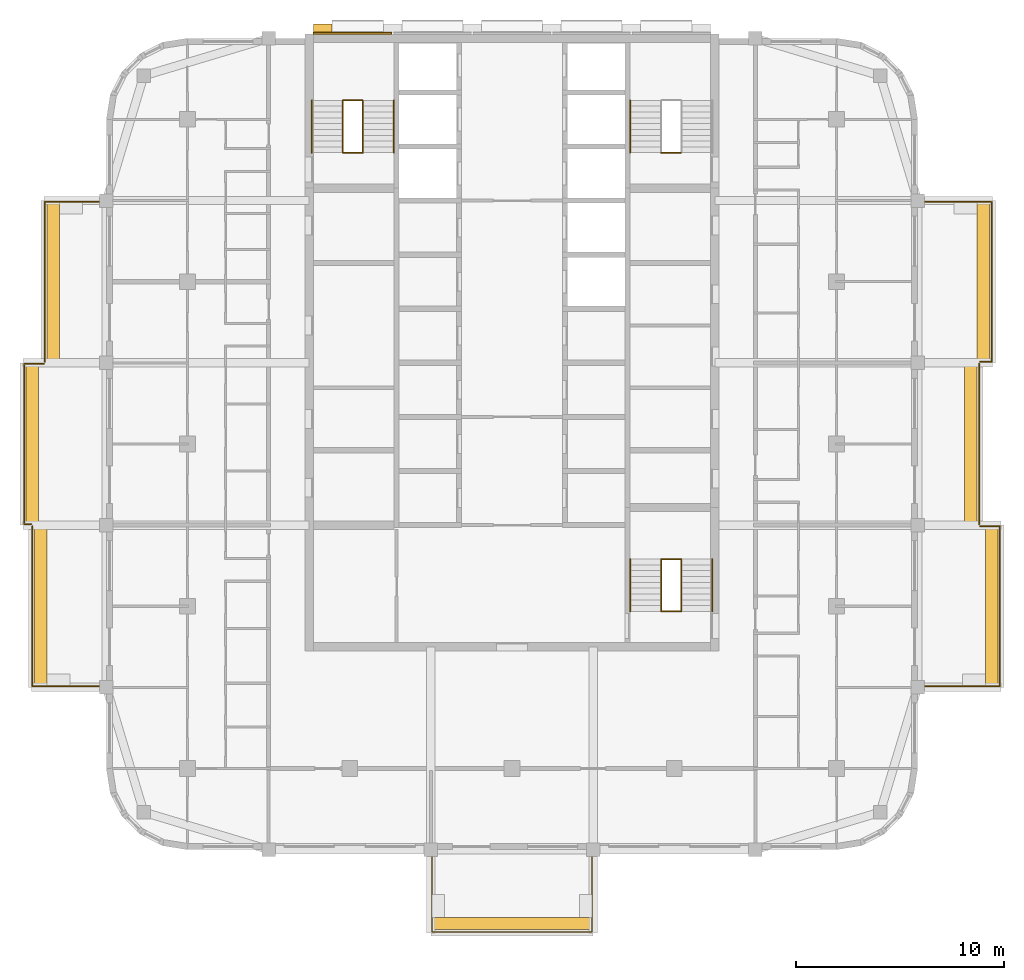
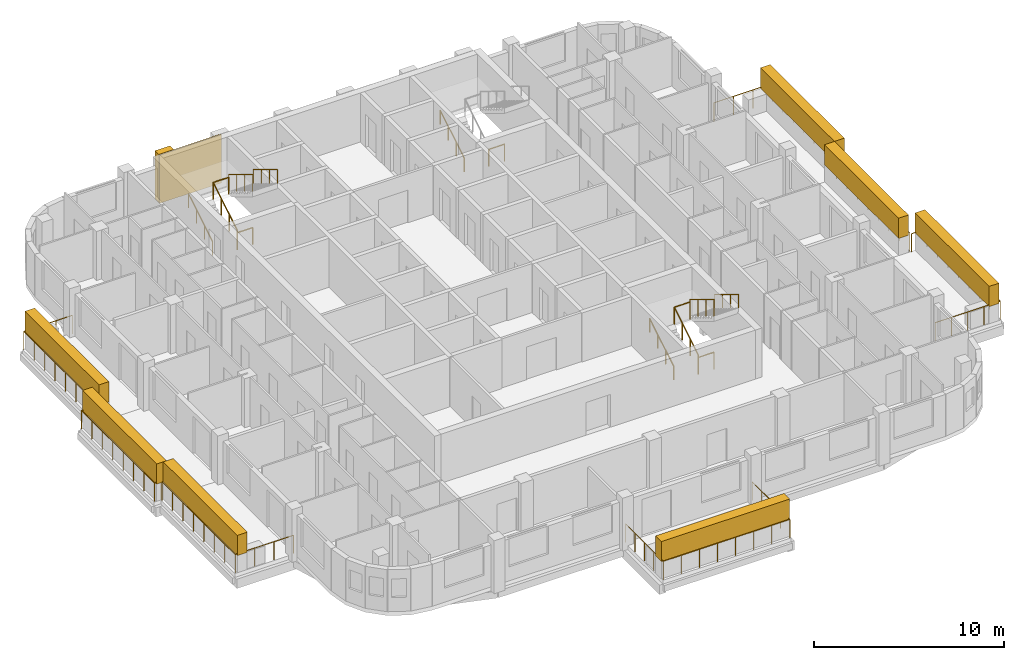
# One storey, part 12 of 13: 21 railings, 9 coverings, 3 elements without a shape of their own.
"""IFC4 building model written with IfcOpenShell, lengths in metres."""

from ifc_helpers import new_model, si_unit, direction, frame, origin, origin_2d, place, context, subcontext, project, spatial, rectangle, circle, extrude, material, layer, layer_set, type_object, element, aggregate, save


model = new_model("IFC4")

# Units and contexts
model_context = context("Model", 3, precision=1e-05, world=origin(), true_north=direction((0.0, 1.0)))
body_context = subcontext(model_context, "Body", "Model", "MODEL_VIEW")
ifc_project = project(units=[si_unit("LENGTHUNIT", "METRE"), si_unit("AREAUNIT", "SQUARE_METRE"), si_unit("VOLUMEUNIT", "CUBIC_METRE"), si_unit("PLANEANGLEUNIT", "RADIAN"), si_unit("MASSUNIT", "GRAM", prefix="KILO")], contexts=[model_context])

# Site, building, storey
site_placement = place(None, origin())
site = spatial("IfcSite", under=ifc_project, at=site_placement, CompositionType="ELEMENT")
building_placement = place(site_placement, origin())
building = spatial("IfcBuilding", under=site, at=building_placement, Name="Ludao Terraces", CompositionType="ELEMENT")
storey_placement = place(building_placement, frame((0.0, 0.0, 252.800048828125)))
storey = spatial("IfcBuildingStorey", under=building, at=storey_placement, Name="L69", CompositionType="ELEMENT", Elevation=252.800048828125)

# Railings
ifc_material_1 = material(Name="Stainless steel 304", Category="steel")
railing_type_1 = type_object("IfcRailingType", Name="ENV Balcony glass guard 1200", PredefinedType="GUARDRAIL", material=ifc_material_1)
railing_1_placement = place(storey_placement, frame((81.14990234375, 45.5, 0.0)))
element("IfcRailing", 1, at=railing_1_placement, inside=storey, type_object=railing_type_1, Name="Balcony guard L69 S1", PredefinedType="GUARDRAIL", context=body_context, shape_type="SweptSolid", body=[
    extrude(circle(Radius=0.02392578125, at=origin_2d()), frame((0.0, 0.0, 1.17578125), z_axis=(0.0, -1.0, 0.0), x_axis=(1.0, 0.0, 0.0)), (0.0, 0.0, 1.0), 3.949951171875),
    extrude(circle(Radius=0.02392578125, at=origin_2d()), frame((0.0, -3.949951171875, 1.17578125), z_axis=(1.0, 0.0, 0.0), x_axis=(0.0, 1.0, 0.0)), (0.0, 0.0, 1.0), 7.7001953125),
    extrude(circle(Radius=0.02392578125, at=origin_2d()), frame((7.7001953125, -3.949951171875, 1.17578125), z_axis=(0.0, 1.0, 0.0), x_axis=(-1.0, 0.0, 0.0)), (0.0, 0.0, 1.0), 3.949951171875),
    extrude(circle(Radius=0.02099609375, at=origin_2d()), origin(), (0.0, 0.0, 1.0), 1.15185546875),
    extrude(circle(Radius=0.02099609375, at=origin_2d()), frame((0.0, -0.987548828125, 0.0)), (0.0, 0.0, 1.0), 1.15185546875),
    extrude(circle(Radius=0.02099609375, at=origin_2d()), frame((0.0, -1.97509765625, 0.0)), (0.0, 0.0, 1.0), 1.15185546875),
    extrude(circle(Radius=0.02099609375, at=origin_2d()), frame((0.0, -2.96240234375, 0.0)), (0.0, 0.0, 1.0), 1.15185546875),
    extrude(circle(Radius=0.02099609375, at=origin_2d()), frame((0.0, -3.949951171875, 0.0)), (0.0, 0.0, 1.0), 1.15185546875),
    extrude(circle(Radius=0.02099609375, at=origin_2d()), frame((1.10009765625, -3.949951171875, 0.0)), (0.0, 0.0, 1.0), 1.15185546875),
    extrude(circle(Radius=0.02099609375, at=origin_2d()), frame((2.199951171875, -3.949951171875, 0.0)), (0.0, 0.0, 1.0), 1.15185546875),
    extrude(circle(Radius=0.02099609375, at=origin_2d()), frame((3.300048828125, -3.949951171875, 0.0)), (0.0, 0.0, 1.0), 1.15185546875),
    extrude(circle(Radius=0.02099609375, at=origin_2d()), frame((4.400146484375, -3.949951171875, 0.0)), (0.0, 0.0, 1.0), 1.15185546875),
    extrude(circle(Radius=0.02099609375, at=origin_2d()), frame((5.500244140625, -3.949951171875, 0.0)), (0.0, 0.0, 1.0), 1.15185546875),
    extrude(circle(Radius=0.02099609375, at=origin_2d()), frame((6.60009765625, -3.949951171875, 0.0)), (0.0, 0.0, 1.0), 1.15185546875),
    extrude(circle(Radius=0.02099609375, at=origin_2d()), frame((7.7001953125, -3.949951171875, 0.0)), (0.0, 0.0, 1.0), 1.15185546875),
    extrude(circle(Radius=0.02099609375, at=origin_2d()), frame((7.7001953125, -2.96240234375, 0.0)), (0.0, 0.0, 1.0), 1.15185546875),
    extrude(circle(Radius=0.02099609375, at=origin_2d()), frame((7.7001953125, -1.97509765625, 0.0)), (0.0, 0.0, 1.0), 1.15185546875),
    extrude(circle(Radius=0.02099609375, at=origin_2d()), frame((7.7001953125, -0.987548828125, 0.0)), (0.0, 0.0, 1.0), 1.15185546875),
    extrude(circle(Radius=0.02099609375, at=origin_2d()), frame((7.7001953125, 0.0, 0.0)), (0.0, 0.0, 1.0), 1.15185546875),
])
railing_2_placement = place(storey_placement, frame((104.5, 53.35009765625, 0.0)))
element("IfcRailing", 2, at=railing_2_placement, inside=storey, type_object=railing_type_1, Name="Balcony guard L69 E1", PredefinedType="GUARDRAIL", context=body_context, shape_type="SweptSolid", body=[
    extrude(circle(Radius=0.02392578125, at=origin_2d()), frame((0.0, 0.0, 1.17578125), z_axis=(1.0, 0.0, 0.0), x_axis=(0.0, 1.0, 0.0)), (0.0, 0.0, 1.0), 3.949951171875),
    extrude(circle(Radius=0.02392578125, at=origin_2d()), frame((3.949951171875, 0.0, 1.17578125), z_axis=(0.0, 1.0, 0.0), x_axis=(-1.0, 0.0, 0.0)), (0.0, 0.0, 1.0), 7.699951171875),
    extrude(circle(Radius=0.02392578125, at=origin_2d()), frame((3.949951171875, 7.699951171875, 1.17578125), z_axis=(-1.0, 0.0, 0.0), x_axis=(0.0, -1.0, 0.0)), (0.0, 0.0, 1.0), 0.949951171875),
    extrude(circle(Radius=0.02099609375, at=origin_2d()), origin(), (0.0, 0.0, 1.0), 1.15185546875),
    extrude(circle(Radius=0.02099609375, at=origin_2d()), frame((0.987548828125, 0.0, 0.0)), (0.0, 0.0, 1.0), 1.15185546875),
    extrude(circle(Radius=0.02099609375, at=origin_2d()), frame((1.97509765625, 0.0, 0.0)), (0.0, 0.0, 1.0), 1.15185546875),
    extrude(circle(Radius=0.02099609375, at=origin_2d()), frame((2.96240234375, 0.0, 0.0)), (0.0, 0.0, 1.0), 1.15185546875),
    extrude(circle(Radius=0.02099609375, at=origin_2d()), frame((3.949951171875, 0.0, 0.0)), (0.0, 0.0, 1.0), 1.15185546875),
    extrude(circle(Radius=0.02099609375, at=origin_2d()), frame((3.949951171875, 1.10009765625, 0.0)), (0.0, 0.0, 1.0), 1.15185546875),
    extrude(circle(Radius=0.02099609375, at=origin_2d()), frame((3.949951171875, 2.199951171875, 0.0)), (0.0, 0.0, 1.0), 1.15185546875),
    extrude(circle(Radius=0.02099609375, at=origin_2d()), frame((3.949951171875, 3.300048828125, 0.0)), (0.0, 0.0, 1.0), 1.15185546875),
    extrude(circle(Radius=0.02099609375, at=origin_2d()), frame((3.949951171875, 4.39990234375, 0.0)), (0.0, 0.0, 1.0), 1.15185546875),
    extrude(circle(Radius=0.02099609375, at=origin_2d()), frame((3.949951171875, 5.5, 0.0)), (0.0, 0.0, 1.0), 1.15185546875),
    extrude(circle(Radius=0.02099609375, at=origin_2d()), frame((3.949951171875, 6.599853515625, 0.0)), (0.0, 0.0, 1.0), 1.15185546875),
    extrude(circle(Radius=0.02099609375, at=origin_2d()), frame((3.949951171875, 7.699951171875, 0.0)), (0.0, 0.0, 1.0), 1.15185546875),
    extrude(circle(Radius=0.02099609375, at=origin_2d()), frame((3.0, 7.699951171875, 0.0)), (0.0, 0.0, 1.0), 1.15185546875),
])
railing_3_placement = place(storey_placement, frame((107.449951171875, 61.14990234375, 0.0)))
element("IfcRailing", 3, at=railing_3_placement, inside=storey, type_object=railing_type_1, Name="Balcony guard L69 E2", PredefinedType="GUARDRAIL", context=body_context, shape_type="SweptSolid", body=[
    extrude(circle(Radius=0.02392578125, at=origin_2d()), frame((0.0, 0.0, 1.17578125), z_axis=(0.0, 1.0, 0.0), x_axis=(-1.0, 0.0, 0.0)), (0.0, 0.0, 1.0), 7.7001953125),
    extrude(circle(Radius=0.02099609375, at=origin_2d()), origin(), (0.0, 0.0, 1.0), 1.15185546875),
    extrude(circle(Radius=0.02099609375, at=origin_2d()), frame((0.0, 1.10009765625, 0.0)), (0.0, 0.0, 1.0), 1.15185546875),
    extrude(circle(Radius=0.02099609375, at=origin_2d()), frame((0.0, 2.199951171875, 0.0)), (0.0, 0.0, 1.0), 1.15185546875),
    extrude(circle(Radius=0.02099609375, at=origin_2d()), frame((0.0, 3.300048828125, 0.0)), (0.0, 0.0, 1.0), 1.15185546875),
    extrude(circle(Radius=0.02099609375, at=origin_2d()), frame((0.0, 4.400146484375, 0.0)), (0.0, 0.0, 1.0), 1.15185546875),
    extrude(circle(Radius=0.02099609375, at=origin_2d()), frame((0.0, 5.500244140625, 0.0)), (0.0, 0.0, 1.0), 1.15185546875),
    extrude(circle(Radius=0.02099609375, at=origin_2d()), frame((0.0, 6.60009765625, 0.0)), (0.0, 0.0, 1.0), 1.15185546875),
    extrude(circle(Radius=0.02099609375, at=origin_2d()), frame((0.0, 7.7001953125, 0.0)), (0.0, 0.0, 1.0), 1.15185546875),
])
railing_4_placement = place(storey_placement, frame((107.5, 68.949951171875, 0.0)))
element("IfcRailing", 4, at=railing_4_placement, inside=storey, type_object=railing_type_1, Name="Balcony guard L69 E3", PredefinedType="GUARDRAIL", context=body_context, shape_type="SweptSolid", body=[
    extrude(circle(Radius=0.02392578125, at=origin_2d()), frame((0.0, 0.0, 1.17578125), z_axis=(1.0, 0.0, 0.0), x_axis=(0.0, 1.0, 0.0)), (0.0, 0.0, 1.0), 0.550048828125),
    extrude(circle(Radius=0.02392578125, at=origin_2d()), frame((0.550048828125, 0.0, 1.17578125), z_axis=(0.0, 1.0, 0.0), x_axis=(-1.0, 0.0, 0.0)), (0.0, 0.0, 1.0), 7.699951171875),
    extrude(circle(Radius=0.02392578125, at=origin_2d()), frame((0.550048828125, 7.699951171875, 1.17578125), z_axis=(-1.0, 0.0, 0.0), x_axis=(0.0, -1.0, 0.0)), (0.0, 0.0, 1.0), 3.550048828125),
    extrude(circle(Radius=0.02099609375, at=origin_2d()), origin(), (0.0, 0.0, 1.0), 1.15185546875),
    extrude(circle(Radius=0.02099609375, at=origin_2d()), frame((0.550048828125, 0.0, 0.0)), (0.0, 0.0, 1.0), 1.15185546875),
    extrude(circle(Radius=0.02099609375, at=origin_2d()), frame((0.550048828125, 1.10009765625, 0.0)), (0.0, 0.0, 1.0), 1.15185546875),
    extrude(circle(Radius=0.02099609375, at=origin_2d()), frame((0.550048828125, 2.199951171875, 0.0)), (0.0, 0.0, 1.0), 1.15185546875),
    extrude(circle(Radius=0.02099609375, at=origin_2d()), frame((0.550048828125, 3.300048828125, 0.0)), (0.0, 0.0, 1.0), 1.15185546875),
    extrude(circle(Radius=0.02099609375, at=origin_2d()), frame((0.550048828125, 4.39990234375, 0.0)), (0.0, 0.0, 1.0), 1.15185546875),
    extrude(circle(Radius=0.02099609375, at=origin_2d()), frame((0.550048828125, 5.5, 0.0)), (0.0, 0.0, 1.0), 1.15185546875),
    extrude(circle(Radius=0.02099609375, at=origin_2d()), frame((0.550048828125, 6.599853515625, 0.0)), (0.0, 0.0, 1.0), 1.15185546875),
    extrude(circle(Radius=0.02099609375, at=origin_2d()), frame((0.550048828125, 7.699951171875, 0.0)), (0.0, 0.0, 1.0), 1.15185546875),
    extrude(circle(Radius=0.02099609375, at=origin_2d()), frame((-0.63330078125, 7.699951171875, 0.0)), (0.0, 0.0, 1.0), 1.15185546875),
    extrude(circle(Radius=0.02099609375, at=origin_2d()), frame((-1.816650390625, 7.699951171875, 0.0)), (0.0, 0.0, 1.0), 1.15185546875),
    extrude(circle(Radius=0.02099609375, at=origin_2d()), frame((-3.0, 7.699951171875, 0.0)), (0.0, 0.0, 1.0), 1.15185546875),
])
railing_5_placement = place(storey_placement, frame((65.5, 53.35009765625, 0.0)))
element("IfcRailing", 5, at=railing_5_placement, inside=storey, type_object=railing_type_1, Name="Balcony guard L69 W1", PredefinedType="GUARDRAIL", context=body_context, shape_type="SweptSolid", body=[
    extrude(circle(Radius=0.02392578125, at=origin_2d()), frame((0.0, 0.0, 1.17578125), z_axis=(-1.0, 0.0, 0.0), x_axis=(0.0, -1.0, 0.0)), (0.0, 0.0, 1.0), 3.550048828125),
    extrude(circle(Radius=0.02392578125, at=origin_2d()), frame((-3.550048828125, 0.0, 1.17578125), z_axis=(0.0, 1.0, 0.0), x_axis=(-1.0, 0.0, 0.0)), (0.0, 0.0, 1.0), 7.699951171875),
    extrude(circle(Radius=0.02099609375, at=origin_2d()), origin(), (0.0, 0.0, 1.0), 1.15185546875),
    extrude(circle(Radius=0.02099609375, at=origin_2d()), frame((-1.183349609375, 0.0, 0.0)), (0.0, 0.0, 1.0), 1.15185546875),
    extrude(circle(Radius=0.02099609375, at=origin_2d()), frame((-2.36669921875, 0.0, 0.0)), (0.0, 0.0, 1.0), 1.15185546875),
    extrude(circle(Radius=0.02099609375, at=origin_2d()), frame((-3.550048828125, 0.0, 0.0)), (0.0, 0.0, 1.0), 1.15185546875),
    extrude(circle(Radius=0.02099609375, at=origin_2d()), frame((-3.550048828125, 1.10009765625, 0.0)), (0.0, 0.0, 1.0), 1.15185546875),
    extrude(circle(Radius=0.02099609375, at=origin_2d()), frame((-3.550048828125, 2.199951171875, 0.0)), (0.0, 0.0, 1.0), 1.15185546875),
    extrude(circle(Radius=0.02099609375, at=origin_2d()), frame((-3.550048828125, 3.300048828125, 0.0)), (0.0, 0.0, 1.0), 1.15185546875),
    extrude(circle(Radius=0.02099609375, at=origin_2d()), frame((-3.550048828125, 4.39990234375, 0.0)), (0.0, 0.0, 1.0), 1.15185546875),
    extrude(circle(Radius=0.02099609375, at=origin_2d()), frame((-3.550048828125, 5.5, 0.0)), (0.0, 0.0, 1.0), 1.15185546875),
    extrude(circle(Radius=0.02099609375, at=origin_2d()), frame((-3.550048828125, 6.599853515625, 0.0)), (0.0, 0.0, 1.0), 1.15185546875),
    extrude(circle(Radius=0.02099609375, at=origin_2d()), frame((-3.550048828125, 7.699951171875, 0.0)), (0.0, 0.0, 1.0), 1.15185546875),
])
railing_6_placement = place(storey_placement, frame((61.89990234375, 61.14990234375, 0.0)))
element("IfcRailing", 6, at=railing_6_placement, inside=storey, type_object=railing_type_1, Name="Balcony guard L69 W2", PredefinedType="GUARDRAIL", context=body_context, shape_type="SweptSolid", body=[
    extrude(circle(Radius=0.02392578125, at=origin_2d()), frame((0.0, 0.0, 1.17578125), z_axis=(-1.0, 0.0, 0.0), x_axis=(0.0, -1.0, 0.0)), (0.0, 0.0, 1.0), 0.349853515625),
    extrude(circle(Radius=0.02392578125, at=origin_2d()), frame((-0.349853515625, 0.0, 1.17578125), z_axis=(0.0, 1.0, 0.0), x_axis=(-1.0, 0.0, 0.0)), (0.0, 0.0, 1.0), 7.7001953125),
    extrude(circle(Radius=0.02392578125, at=origin_2d()), frame((-0.349853515625, 7.7001953125, 1.17578125), z_axis=(1.0, 0.0, 0.0), x_axis=(0.0, 1.0, 0.0)), (0.0, 0.0, 1.0), 0.949951171875),
    extrude(circle(Radius=0.02099609375, at=origin_2d()), origin(), (0.0, 0.0, 1.0), 1.15185546875),
    extrude(circle(Radius=0.02099609375, at=origin_2d()), frame((-0.349853515625, 0.0, 0.0)), (0.0, 0.0, 1.0), 1.15185546875),
    extrude(circle(Radius=0.02099609375, at=origin_2d()), frame((-0.349853515625, 1.10009765625, 0.0)), (0.0, 0.0, 1.0), 1.15185546875),
    extrude(circle(Radius=0.02099609375, at=origin_2d()), frame((-0.349853515625, 2.199951171875, 0.0)), (0.0, 0.0, 1.0), 1.15185546875),
    extrude(circle(Radius=0.02099609375, at=origin_2d()), frame((-0.349853515625, 3.300048828125, 0.0)), (0.0, 0.0, 1.0), 1.15185546875),
    extrude(circle(Radius=0.02099609375, at=origin_2d()), frame((-0.349853515625, 4.400146484375, 0.0)), (0.0, 0.0, 1.0), 1.15185546875),
    extrude(circle(Radius=0.02099609375, at=origin_2d()), frame((-0.349853515625, 5.500244140625, 0.0)), (0.0, 0.0, 1.0), 1.15185546875),
    extrude(circle(Radius=0.02099609375, at=origin_2d()), frame((-0.349853515625, 6.60009765625, 0.0)), (0.0, 0.0, 1.0), 1.15185546875),
    extrude(circle(Radius=0.02099609375, at=origin_2d()), frame((-0.349853515625, 7.7001953125, 0.0)), (0.0, 0.0, 1.0), 1.15185546875),
    extrude(circle(Radius=0.02099609375, at=origin_2d()), frame((0.60009765625, 7.7001953125, 0.0)), (0.0, 0.0, 1.0), 1.15185546875),
])
railing_7_placement = place(storey_placement, frame((62.550048828125, 68.949951171875, 0.0)))
element("IfcRailing", 7, at=railing_7_placement, inside=storey, type_object=railing_type_1, Name="Balcony guard L69 W3", PredefinedType="GUARDRAIL", context=body_context, shape_type="SweptSolid", body=[
    extrude(circle(Radius=0.02392578125, at=origin_2d()), frame((0.0, 0.0, 1.17578125), z_axis=(0.0, 1.0, 0.0), x_axis=(-1.0, 0.0, 0.0)), (0.0, 0.0, 1.0), 7.699951171875),
    extrude(circle(Radius=0.02392578125, at=origin_2d()), frame((0.0, 7.699951171875, 1.17578125), z_axis=(1.0, 0.0, 0.0), x_axis=(0.0, 1.0, 0.0)), (0.0, 0.0, 1.0), 2.949951171875),
    extrude(circle(Radius=0.02099609375, at=origin_2d()), origin(), (0.0, 0.0, 1.0), 1.15185546875),
    extrude(circle(Radius=0.02099609375, at=origin_2d()), frame((0.0, 1.10009765625, 0.0)), (0.0, 0.0, 1.0), 1.15185546875),
    extrude(circle(Radius=0.02099609375, at=origin_2d()), frame((0.0, 2.199951171875, 0.0)), (0.0, 0.0, 1.0), 1.15185546875),
    extrude(circle(Radius=0.02099609375, at=origin_2d()), frame((0.0, 3.300048828125, 0.0)), (0.0, 0.0, 1.0), 1.15185546875),
    extrude(circle(Radius=0.02099609375, at=origin_2d()), frame((0.0, 4.39990234375, 0.0)), (0.0, 0.0, 1.0), 1.15185546875),
    extrude(circle(Radius=0.02099609375, at=origin_2d()), frame((0.0, 5.5, 0.0)), (0.0, 0.0, 1.0), 1.15185546875),
    extrude(circle(Radius=0.02099609375, at=origin_2d()), frame((0.0, 6.599853515625, 0.0)), (0.0, 0.0, 1.0), 1.15185546875),
    extrude(circle(Radius=0.02099609375, at=origin_2d()), frame((0.0, 7.699951171875, 0.0)), (0.0, 0.0, 1.0), 1.15185546875),
    extrude(circle(Radius=0.02099609375, at=origin_2d()), frame((0.9833984375, 7.699951171875, 0.0)), (0.0, 0.0, 1.0), 1.15185546875),
    extrude(circle(Radius=0.02099609375, at=origin_2d()), frame((1.966552734375, 7.699951171875, 0.0)), (0.0, 0.0, 1.0), 1.15185546875),
    extrude(circle(Radius=0.02099609375, at=origin_2d()), frame((2.949951171875, 7.699951171875, 0.0)), (0.0, 0.0, 1.0), 1.15185546875),
])

# Coverings
ifc_material_2 = material(Name="Granite cladding", Category="masonry")
ifc_layer_1 = layer(ifc_material_2, 0.39990234375)
ifc_layer_set_1 = layer_set([ifc_layer_1], Name="ENV Core pilaster stone 400")
covering_type_1 = type_object("IfcCoveringType", Name="ENV Core pilaster stone 400", PredefinedType="CLADDING", material=ifc_layer_set_1)
covering_1_placement = place(storey_placement, frame((75.89990234375, 84.97998046875, 0.0), z_axis=(0.0, 0.0, 1.0), x_axis=(1.0, 0.0, 0.0)))
element("IfcCovering", 8, at=covering_1_placement, inside=storey, type_object=covering_type_1, Name="CC-L69-PIL1", PredefinedType="CLADDING", context=body_context, shape_type="SweptSolid", body=[
    extrude(rectangle(XDim=0.89990234375, YDim=0.39990234375, at=origin_2d()), origin(), (0.0, 0.0, 1.0), 3.10009765625),
])
ifc_layer_2 = layer(ifc_material_2, 0.080078125)
ifc_layer_set_2 = layer_set([ifc_layer_2], Name="ENV Core stone cladding panel 80")
covering_type_2 = type_object("IfcCoveringType", Name="ENV Core stone cladding panel 80", PredefinedType="CLADDING", material=ifc_layer_set_2)
covering_2_placement = place(storey_placement, frame((77.3349609375, 84.739990234375, 0.0), z_axis=(0.0, 0.0, 1.0), x_axis=(1.0, 0.0, 0.0)))
element("IfcCovering", 9, at=covering_2_placement, inside=storey, type_object=covering_type_2, Name="CC-L69-CORE1", PredefinedType="CLADDING", context=body_context, shape_type="SweptSolid", body=[
    extrude(rectangle(XDim=3.77001953125, YDim=0.080078125, at=origin_2d()), origin(), (0.0, 0.0, 1.0), 3.10009765625),
])
ifc_material_3 = material(Name="Planting")
ifc_layer_3 = layer(ifc_material_3, 0.60009765625)
ifc_layer_set_3 = layer_set([ifc_layer_3], Name="ENV Planting hedge 600x1300")
covering_type_3 = type_object("IfcCoveringType", Name="ENV Planting hedge 600x1300", PredefinedType="USERDEFINED", material=ifc_layer_set_3)
covering_3_placement = place(storey_placement, frame((85.0, 41.949951171875, 1.10009765625), z_axis=(0.0, 0.0, 1.0), x_axis=(1.0, 0.0, 0.0)))
element("IfcCovering", 10, at=covering_3_placement, inside=storey, type_object=covering_type_3, Name="Planting hedge L69-S1", ObjectType="PLANTING", PredefinedType="USERDEFINED", context=body_context, shape_type="SweptSolid", body=[
    extrude(rectangle(XDim=7.800048828125, YDim=0.60009765625, at=origin_2d()), origin(), (0.0, 0.0, 1.0), 1.300048828125),
])
for number, where, z_axis, x_axis, name in (
    (11, (108.050048828125, 57.199951171875, 1.10009765625), (0.0, 0.0, 1.0), (1.0, 0.0, 0.0), "Planting hedge L69-E1"),
    (12, (107.050048828125, 65.0, 1.10009765625), (0.0, 0.0, 1.0), (1.0, 0.0, 0.0), "Planting hedge L69-E2"),
    (13, (107.64990234375, 72.800048828125, 1.10009765625), (0.0, 0.0, 1.0), (1.0, 0.0, 0.0), "Planting hedge L69-E3"),
    (14, (62.35009765625, 57.199951171875, 1.10009765625), (0.0, 0.0, 1.0), (1.0, 0.0, 0.0), "Planting hedge L69-W1"),
    (15, (61.949951171875, 65.0, 1.10009765625), (0.0, 0.0, 1.0), (1.0, 0.0, 0.0), "Planting hedge L69-W2"),
    (16, (62.949951171875, 72.800048828125, 1.10009765625), (0.0, 0.0, 1.0), (1.0, 0.0, 0.0), "Planting hedge L69-W3"),
):
    element("IfcCovering", number, at=place(storey_placement, frame(where, z_axis=z_axis, x_axis=x_axis)), inside=storey, type_object=covering_type_3, Name=name, ObjectType="PLANTING", PredefinedType="USERDEFINED", context=body_context, shape_type="SweptSolid", body=[
        extrude(rectangle(XDim=0.60009765625, YDim=7.800048828125, at=origin_2d()), origin(), (0.0, 0.0, 1.0), 1.300048828125),
    ])

# Stair, railings
ifc_material_4 = material(Name="Concrete C40", Category="concrete")
stair_type = type_object("IfcStairType", Name="INT Stair", PredefinedType="HALF_TURN_STAIR", material=ifc_material_4)
stair_1_placement = place(storey_placement, origin())
stair_1 = element("IfcStair", 17, at=stair_1_placement, inside=storey, type_object=stair_type, Name="EXIT STAIR 1", PredefinedType="HALF_TURN_STAIR")
railing_type_2 = type_object("IfcRailingType", Name="INT Stair guard 1100", PredefinedType="GUARDRAIL", material=ifc_material_1)
railing_8_placement = place(storey_placement, frame((76.875, 79.0, 0.169921875)))
railing_8 = element("IfcRailing", 18, at=railing_8_placement, type_object=railing_type_2, Name="ST-L69-S1-R1G", PredefinedType="GUARDRAIL", context=body_context, shape_type="SweptSolid", body=[
    extrude(circle(Radius=0.02392578125, at=origin_2d()), frame((0.0, 0.0, 1.076171875), z_axis=(0.0, 0.85478489116, 0.518982456201), x_axis=(-1.0, 0.0, 0.0)), (0.0, 0.0, 1.0), 2.9482421875),
    extrude(circle(Radius=0.02099609375, at=origin_2d()), origin(), (0.0, 0.0, 1.0), 1.052001953125),
    extrude(circle(Radius=0.02099609375, at=origin_2d()), frame((0.0, 0.840087890625, 0.510009765625)), (0.0, 0.0, 1.0), 1.052001953125),
    extrude(circle(Radius=0.02099609375, at=origin_2d()), frame((0.0, 1.679931640625, 1.02001953125)), (0.0, 0.0, 1.0), 1.052001953125),
    extrude(circle(Radius=0.02099609375, at=origin_2d()), frame((0.0, 2.52001953125, 1.530029296875)), (0.0, 0.0, 1.0), 1.052001953125),
])
railing_9_placement = place(storey_placement, frame((77.824951171875, 81.52001953125, 1.869873046875)))
railing_9 = element("IfcRailing", 19, at=railing_9_placement, type_object=railing_type_2, Name="ST-L69-S1-R2G", PredefinedType="GUARDRAIL", context=body_context, shape_type="SweptSolid", body=[
    extrude(circle(Radius=0.02392578125, at=origin_2d()), frame((0.0, 0.0, 1.076171875), z_axis=(0.0, -0.85478489116, 0.518982456201), x_axis=(1.0, 0.0, 0.0)), (0.0, 0.0, 1.0), 2.9482421875),
    extrude(circle(Radius=0.02099609375, at=origin_2d()), origin(), (0.0, 0.0, 1.0), 1.052001953125),
    extrude(circle(Radius=0.02099609375, at=origin_2d()), frame((0.0, -0.840087890625, 0.510009765625)), (0.0, 0.0, 1.0), 1.052001953125),
    extrude(circle(Radius=0.02099609375, at=origin_2d()), frame((0.0, -1.679931640625, 1.02001953125)), (0.0, 0.0, 1.0), 1.052001953125),
    extrude(circle(Radius=0.02099609375, at=origin_2d()), frame((0.0, -2.52001953125, 1.530029296875)), (0.0, 0.0, 1.0), 1.052001953125),
])
railing_10_placement = place(storey_placement, frame((76.875, 81.52001953125, 1.699951171875)))
railing_10 = element("IfcRailing", 20, at=railing_10_placement, type_object=railing_type_2, Name="ST-L69-S1-E1G", PredefinedType="GUARDRAIL", context=body_context, shape_type="SweptSolid", body=[
    extrude(circle(Radius=0.02392578125, at=origin_2d()), frame((0.0, 0.0, 1.076171875), z_axis=(1.0, 0.0, 0.0), x_axis=(0.0, 1.0, 0.0)), (0.0, 0.0, 1.0), 0.949951171875),
    extrude(circle(Radius=0.02099609375, at=origin_2d()), origin(), (0.0, 0.0, 1.0), 1.052001953125),
    extrude(circle(Radius=0.02099609375, at=origin_2d()), frame((0.949951171875, 0.0, 0.0)), (0.0, 0.0, 1.0), 1.052001953125),
])
railing_11_placement = place(storey_placement, frame((76.875, 79.0, 0.0)))
railing_11 = element("IfcRailing", 21, at=railing_11_placement, type_object=railing_type_2, Name="ST-L69-S1-E2G", PredefinedType="GUARDRAIL", context=body_context, shape_type="SweptSolid", body=[
    extrude(circle(Radius=0.02392578125, at=origin_2d()), frame((0.0, 0.0, 1.076171875), z_axis=(1.0, 0.0, 0.0), x_axis=(0.0, 1.0, 0.0)), (0.0, 0.0, 1.0), 0.949951171875),
    extrude(circle(Radius=0.02099609375, at=origin_2d()), origin(), (0.0, 0.0, 1.0), 1.052001953125),
    extrude(circle(Radius=0.02099609375, at=origin_2d()), frame((0.949951171875, 0.0, 0.0)), (0.0, 0.0, 1.0), 1.052001953125),
])

# Stair, railing
stair_2_placement = place(storey_placement, origin())
stair_2 = element("IfcStair", 22, at=stair_2_placement, inside=storey, type_object=stair_type, Name="EXIT STAIR 2", PredefinedType="HALF_TURN_STAIR")
railing_12_placement = place(storey_placement, frame((92.175048828125, 79.0, 0.0)))
railing_12 = element("IfcRailing", 23, at=railing_12_placement, type_object=railing_type_2, Name="ST-L69-S2-E2G", PredefinedType="GUARDRAIL", context=body_context, shape_type="SweptSolid", body=[
    extrude(circle(Radius=0.02392578125, at=origin_2d()), frame((0.0, 0.0, 1.076171875), z_axis=(1.0, 0.0, 0.0), x_axis=(0.0, 1.0, 0.0)), (0.0, 0.0, 1.0), 0.949951171875),
    extrude(circle(Radius=0.02099609375, at=origin_2d()), origin(), (0.0, 0.0, 1.0), 1.052001953125),
    extrude(circle(Radius=0.02099609375, at=origin_2d()), frame((0.949951171875, 0.0, 0.0)), (0.0, 0.0, 1.0), 1.052001953125),
])

# Stair, railings
stair_3_placement = place(storey_placement, origin())
stair_3 = element("IfcStair", 24, at=stair_3_placement, inside=storey, type_object=stair_type, Name="EXIT STAIR 3", PredefinedType="HALF_TURN_STAIR")
railing_13_placement = place(storey_placement, frame((92.175048828125, 56.949951171875, 0.169921875)))
railing_13 = element("IfcRailing", 25, at=railing_13_placement, type_object=railing_type_2, Name="ST-L69-S3-R1G", PredefinedType="GUARDRAIL", context=body_context, shape_type="SweptSolid", body=[
    extrude(circle(Radius=0.02392578125, at=origin_2d()), frame((0.0, 0.0, 1.076171875), z_axis=(0.0, 0.85478489116, 0.518982456201), x_axis=(-1.0, 0.0, 0.0)), (0.0, 0.0, 1.0), 2.9482421875),
    extrude(circle(Radius=0.02099609375, at=origin_2d()), origin(), (0.0, 0.0, 1.0), 1.052001953125),
    extrude(circle(Radius=0.02099609375, at=origin_2d()), frame((0.0, 0.840087890625, 0.510009765625)), (0.0, 0.0, 1.0), 1.052001953125),
    extrude(circle(Radius=0.02099609375, at=origin_2d()), frame((0.0, 1.679931640625, 1.02001953125)), (0.0, 0.0, 1.0), 1.052001953125),
    extrude(circle(Radius=0.02099609375, at=origin_2d()), frame((0.0, 2.52001953125, 1.530029296875)), (0.0, 0.0, 1.0), 1.052001953125),
])
railing_14_placement = place(storey_placement, frame((93.125, 59.469970703125, 1.869873046875)))
railing_14 = element("IfcRailing", 26, at=railing_14_placement, type_object=railing_type_2, Name="ST-L69-S3-R2G", PredefinedType="GUARDRAIL", context=body_context, shape_type="SweptSolid", body=[
    extrude(circle(Radius=0.02392578125, at=origin_2d()), frame((0.0, 0.0, 1.076171875), z_axis=(0.0, -0.85478489116, 0.518982456201), x_axis=(1.0, 0.0, 0.0)), (0.0, 0.0, 1.0), 2.9482421875),
    extrude(circle(Radius=0.02099609375, at=origin_2d()), origin(), (0.0, 0.0, 1.0), 1.052001953125),
    extrude(circle(Radius=0.02099609375, at=origin_2d()), frame((0.0, -0.840087890625, 0.510009765625)), (0.0, 0.0, 1.0), 1.052001953125),
    extrude(circle(Radius=0.02099609375, at=origin_2d()), frame((0.0, -1.679931640625, 1.02001953125)), (0.0, 0.0, 1.0), 1.052001953125),
    extrude(circle(Radius=0.02099609375, at=origin_2d()), frame((0.0, -2.52001953125, 1.530029296875)), (0.0, 0.0, 1.0), 1.052001953125),
])
railing_15_placement = place(storey_placement, frame((92.175048828125, 59.469970703125, 1.699951171875)))
railing_15 = element("IfcRailing", 27, at=railing_15_placement, type_object=railing_type_2, Name="ST-L69-S3-E1G", PredefinedType="GUARDRAIL", context=body_context, shape_type="SweptSolid", body=[
    extrude(circle(Radius=0.02392578125, at=origin_2d()), frame((0.0, 0.0, 1.076171875), z_axis=(1.0, 0.0, 0.0), x_axis=(0.0, 1.0, 0.0)), (0.0, 0.0, 1.0), 0.949951171875),
    extrude(circle(Radius=0.02099609375, at=origin_2d()), origin(), (0.0, 0.0, 1.0), 1.052001953125),
    extrude(circle(Radius=0.02099609375, at=origin_2d()), frame((0.949951171875, 0.0, 0.0)), (0.0, 0.0, 1.0), 1.052001953125),
])
railing_16_placement = place(storey_placement, frame((92.175048828125, 56.949951171875, 0.0)))
railing_16 = element("IfcRailing", 28, at=railing_16_placement, type_object=railing_type_2, Name="ST-L69-S3-E2G", PredefinedType="GUARDRAIL", context=body_context, shape_type="SweptSolid", body=[
    extrude(circle(Radius=0.02392578125, at=origin_2d()), frame((0.0, 0.0, 1.076171875), z_axis=(1.0, 0.0, 0.0), x_axis=(0.0, 1.0, 0.0)), (0.0, 0.0, 1.0), 0.949951171875),
    extrude(circle(Radius=0.02099609375, at=origin_2d()), origin(), (0.0, 0.0, 1.0), 1.052001953125),
    extrude(circle(Radius=0.02099609375, at=origin_2d()), frame((0.949951171875, 0.0, 0.0)), (0.0, 0.0, 1.0), 1.052001953125),
])

# Railing
railing_type_3 = type_object("IfcRailingType", Name="INT Stair handrail 900", PredefinedType="HANDRAIL", material=ifc_material_1)
railing_17_placement = place(storey_placement, frame((75.375, 79.0, 0.169921875)))
railing_17 = element("IfcRailing", 29, at=railing_17_placement, type_object=railing_type_3, Name="ST-L69-S1-R1H", PredefinedType="HANDRAIL", context=body_context, shape_type="SweptSolid", body=[
    extrude(circle(Radius=0.02392578125, at=origin_2d()), frame((0.0, 0.0, 0.8759765625), z_axis=(0.0, 0.85478489116, 0.518982456201), x_axis=(-1.0, 0.0, 0.0)), (0.0, 0.0, 1.0), 2.9482421875),
    extrude(circle(Radius=0.02099609375, at=origin_2d()), origin(), (0.0, 0.0, 1.0), 0.851806640625),
    extrude(circle(Radius=0.02099609375, at=origin_2d()), frame((0.0, 0.840087890625, 0.510009765625)), (0.0, 0.0, 1.0), 0.851806640625),
    extrude(circle(Radius=0.02099609375, at=origin_2d()), frame((0.0, 1.679931640625, 1.02001953125)), (0.0, 0.0, 1.0), 0.851806640625),
    extrude(circle(Radius=0.02099609375, at=origin_2d()), frame((0.0, 2.52001953125, 1.530029296875)), (0.0, 0.0, 1.0), 0.851806640625),
])

railing_18_placement = place(storey_placement, frame((79.324951171875, 81.52001953125, 1.869873046875)))
railing_18 = element("IfcRailing", 30, at=railing_18_placement, type_object=railing_type_3, Name="ST-L69-S1-R2H", PredefinedType="HANDRAIL", context=body_context, shape_type="SweptSolid", body=[
    extrude(circle(Radius=0.02392578125, at=origin_2d()), frame((0.0, 0.0, 0.8759765625), z_axis=(0.0, -0.85478489116, 0.518982456201), x_axis=(1.0, 0.0, 0.0)), (0.0, 0.0, 1.0), 2.9482421875),
    extrude(circle(Radius=0.02099609375, at=origin_2d()), origin(), (0.0, 0.0, 1.0), 0.851806640625),
    extrude(circle(Radius=0.02099609375, at=origin_2d()), frame((0.0, -0.840087890625, 0.510009765625)), (0.0, 0.0, 1.0), 0.851806640625),
    extrude(circle(Radius=0.02099609375, at=origin_2d()), frame((0.0, -1.679931640625, 1.02001953125)), (0.0, 0.0, 1.0), 0.851806640625),
    extrude(circle(Radius=0.02099609375, at=origin_2d()), frame((0.0, -2.52001953125, 1.530029296875)), (0.0, 0.0, 1.0), 0.851806640625),
])

aggregate(stair_1, [railing_8, railing_17, railing_9, railing_18, railing_10, railing_11])

railing_19_placement = place(storey_placement, frame((90.675048828125, 79.0, 0.169921875)))
railing_19 = element("IfcRailing", 31, at=railing_19_placement, type_object=railing_type_3, Name="ST-L69-S2-R1H", PredefinedType="HANDRAIL", context=body_context, shape_type="SweptSolid", body=[
    extrude(circle(Radius=0.02392578125, at=origin_2d()), frame((0.0, 0.0, 0.8759765625), z_axis=(0.0, 0.85478489116, 0.518982456201), x_axis=(-1.0, 0.0, 0.0)), (0.0, 0.0, 1.0), 2.9482421875),
    extrude(circle(Radius=0.02099609375, at=origin_2d()), origin(), (0.0, 0.0, 1.0), 0.851806640625),
    extrude(circle(Radius=0.02099609375, at=origin_2d()), frame((0.0, 0.840087890625, 0.510009765625)), (0.0, 0.0, 1.0), 0.851806640625),
    extrude(circle(Radius=0.02099609375, at=origin_2d()), frame((0.0, 1.679931640625, 1.02001953125)), (0.0, 0.0, 1.0), 0.851806640625),
    extrude(circle(Radius=0.02099609375, at=origin_2d()), frame((0.0, 2.52001953125, 1.530029296875)), (0.0, 0.0, 1.0), 0.851806640625),
])

aggregate(stair_2, [railing_19, railing_12])

railing_20_placement = place(storey_placement, frame((90.675048828125, 56.949951171875, 0.169921875)))
railing_20 = element("IfcRailing", 32, at=railing_20_placement, type_object=railing_type_3, Name="ST-L69-S3-R1H", PredefinedType="HANDRAIL", context=body_context, shape_type="SweptSolid", body=[
    extrude(circle(Radius=0.02392578125, at=origin_2d()), frame((0.0, 0.0, 0.8759765625), z_axis=(0.0, 0.85478489116, 0.518982456201), x_axis=(-1.0, 0.0, 0.0)), (0.0, 0.0, 1.0), 2.9482421875),
    extrude(circle(Radius=0.02099609375, at=origin_2d()), origin(), (0.0, 0.0, 1.0), 0.851806640625),
    extrude(circle(Radius=0.02099609375, at=origin_2d()), frame((0.0, 0.840087890625, 0.510009765625)), (0.0, 0.0, 1.0), 0.851806640625),
    extrude(circle(Radius=0.02099609375, at=origin_2d()), frame((0.0, 1.679931640625, 1.02001953125)), (0.0, 0.0, 1.0), 0.851806640625),
    extrude(circle(Radius=0.02099609375, at=origin_2d()), frame((0.0, 2.52001953125, 1.530029296875)), (0.0, 0.0, 1.0), 0.851806640625),
])

railing_21_placement = place(storey_placement, frame((94.625, 59.469970703125, 1.869873046875)))
railing_21 = element("IfcRailing", 33, at=railing_21_placement, type_object=railing_type_3, Name="ST-L69-S3-R2H", PredefinedType="HANDRAIL", context=body_context, shape_type="SweptSolid", body=[
    extrude(circle(Radius=0.02392578125, at=origin_2d()), frame((0.0, 0.0, 0.8759765625), z_axis=(0.0, -0.85478489116, 0.518982456201), x_axis=(1.0, 0.0, 0.0)), (0.0, 0.0, 1.0), 2.9482421875),
    extrude(circle(Radius=0.02099609375, at=origin_2d()), origin(), (0.0, 0.0, 1.0), 0.851806640625),
    extrude(circle(Radius=0.02099609375, at=origin_2d()), frame((0.0, -0.840087890625, 0.510009765625)), (0.0, 0.0, 1.0), 0.851806640625),
    extrude(circle(Radius=0.02099609375, at=origin_2d()), frame((0.0, -1.679931640625, 1.02001953125)), (0.0, 0.0, 1.0), 0.851806640625),
    extrude(circle(Radius=0.02099609375, at=origin_2d()), frame((0.0, -2.52001953125, 1.530029296875)), (0.0, 0.0, 1.0), 0.851806640625),
])

aggregate(stair_3, [railing_13, railing_20, railing_14, railing_21, railing_15, railing_16])

save(model, "model.ifc")
